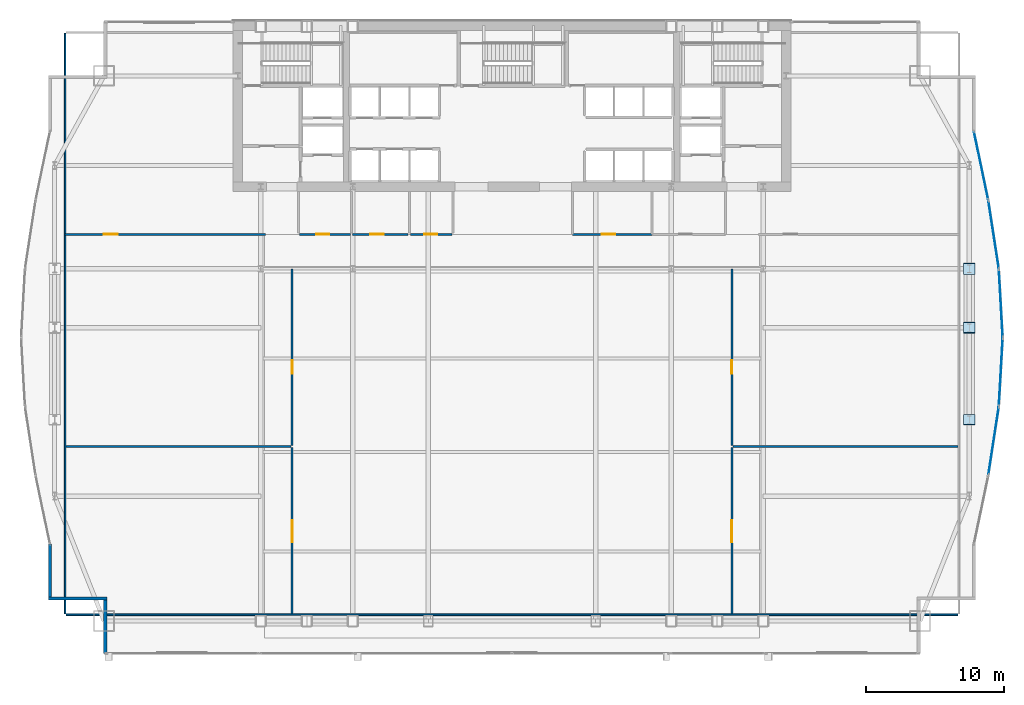
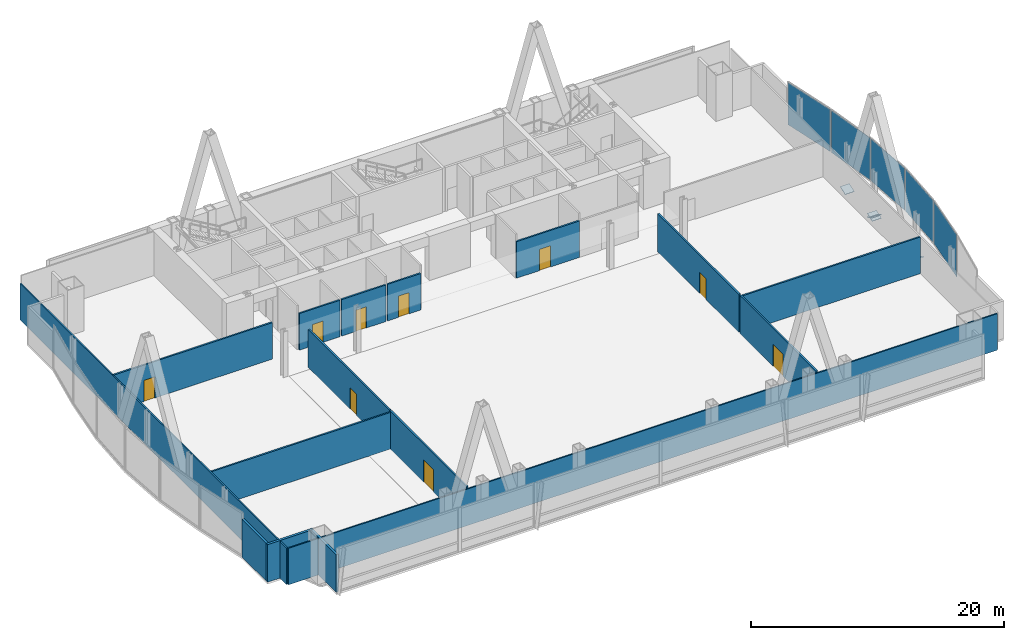
# One storey, part 27 of 32: 16 walls, 9 doors, 9 plates, 9 openings, 5 elements without a shape of their own.
"""IFC4 building model written with IfcOpenShell, lengths in metres."""

from ifc_helpers import new_model, si_unit, direction, frame, frame_2d, origin, origin_2d, place, context, subcontext, project, spatial, polyline, rectangle, outline, extrude, material, layer, layer_set, type_object, element, fill, aggregate, save


model = new_model("IFC4")

# Units and contexts
model_context = context("Model", 3, precision=1e-05, world=origin(), true_north=direction((0.0, 1.0)))
body_context = subcontext(model_context, "Body", "Model", "MODEL_VIEW")
ifc_project = project(units=[si_unit("LENGTHUNIT", "METRE"), si_unit("AREAUNIT", "SQUARE_METRE"), si_unit("VOLUMEUNIT", "CUBIC_METRE"), si_unit("PLANEANGLEUNIT", "RADIAN"), si_unit("MASSUNIT", "GRAM", prefix="KILO")], contexts=[model_context])

# Site, building, storey
site_placement = place(None, origin())
site = spatial("IfcSite", under=ifc_project, at=site_placement, CompositionType="ELEMENT")
building_placement = place(site_placement, origin())
building = spatial("IfcBuilding", under=site, at=building_placement, Name="Khoronbel Lancet Exchange", CompositionType="ELEMENT")
storey_placement = place(building_placement, frame((0.0, 0.0, 106.60009765625)))
storey = spatial("IfcBuildingStorey", under=building, at=storey_placement, Name="L25", CompositionType="ELEMENT", Elevation=106.60009765625)

# Curtain wall, plate
ifc_material_1 = material(Name="Low-E Solar Control Insulating Glass", Category="glass")
curtain_wall_type = type_object("IfcCurtainWallType", Name="CW-4", PredefinedType="NOTDEFINED", material=ifc_material_1)
curtain_wall_1_placement = place(storey_placement, origin())
curtain_wall_1 = element("IfcCurtainWall", 1, at=curtain_wall_1_placement, inside=storey, type_object=curtain_wall_type, Name="Unitised curtain wall CW-L25-E18", PredefinedType="NOTDEFINED")
ifc_material_2 = material(Name="Bronze-Anodised Aluminium 6063-T6", Category="aluminium")
ifc_layer_1 = layer(ifc_material_2, 0.050048828125, Name="Bronze-Anodised Aluminium 6063-T6")
ifc_layer_set_1 = layer_set([ifc_layer_1], Name="Bronze-Anodised Aluminium 6063-T6")
plate_type_1 = type_object("IfcPlateType", Name="PLT-CSP1", PredefinedType="SHEET", material=ifc_layer_set_1)
plate_1_placement = place(storey_placement, frame((71.392578125, 38.187255859375, 0.0849609375), z_axis=(0.0, 0.0, 1.0), x_axis=(0.151689763181, -0.988428154064, 0.0)))
plate_1 = element("IfcPlate", 2, at=plate_1_placement, type_object=plate_type_1, Name="CW4 panel 1.1", PredefinedType="CURTAIN_PANEL", context=body_context, shape_type="SweptSolid", body=[
    extrude(rectangle(XDim=4.90185546875, YDim=0.0380859375, at=origin_2d()), origin(), (0.0, 0.0, 1.0), 4.070068359375),
])
aggregate(curtain_wall_1, [plate_1])

curtain_wall_2_placement = place(storey_placement, origin())
curtain_wall_2 = element("IfcCurtainWall", 3, at=curtain_wall_2_placement, inside=storey, type_object=curtain_wall_type, Name="Unitised curtain wall CW-L25-E19", PredefinedType="NOTDEFINED")
plate_2_placement = place(storey_placement, frame((71.916015625, 33.1953125, 0.0849609375), z_axis=(0.0, 0.0, 1.0), x_axis=(0.056077211104, -0.998426435144, 0.0)))
plate_2 = element("IfcPlate", 4, at=plate_2_placement, type_object=plate_type_1, Name="CW4 panel 1.1", PredefinedType="CURTAIN_PANEL", context=body_context, shape_type="SweptSolid", body=[
    extrude(rectangle(XDim=4.848388671875, YDim=0.0380859375, at=origin_2d()), origin(), (0.0, 0.0, 1.0), 4.070068359375),
])
aggregate(curtain_wall_2, [plate_2])

curtain_wall_3_placement = place(storey_placement, origin())
curtain_wall_3 = element("IfcCurtainWall", 5, at=curtain_wall_3_placement, inside=storey, type_object=curtain_wall_type, Name="Unitised curtain wall CW-L25-E20", PredefinedType="NOTDEFINED")
plate_3_placement = place(storey_placement, frame((71.916015625, 28.20458984375, 0.0849609375), z_axis=(0.0, 0.0, 1.0), x_axis=(-0.056077211104, -0.998426435144, 0.0)))
plate_3 = element("IfcPlate", 6, at=plate_3_placement, type_object=plate_type_1, Name="CW4 panel 1.1", PredefinedType="CURTAIN_PANEL", context=body_context, shape_type="SweptSolid", body=[
    extrude(rectangle(XDim=4.848388671875, YDim=0.0380859375, at=origin_2d()), origin(), (0.0, 0.0, 1.0), 4.070068359375),
])
aggregate(curtain_wall_3, [plate_3])

curtain_wall_4_placement = place(storey_placement, origin())
curtain_wall_4 = element("IfcCurtainWall", 7, at=curtain_wall_4_placement, inside=storey, type_object=curtain_wall_type, Name="Unitised curtain wall CW-L25-E21", PredefinedType="NOTDEFINED")
plate_4_placement = place(storey_placement, frame((71.392578125, 23.212646484375, 0.0849609375), z_axis=(0.0, 0.0, 1.0), x_axis=(-0.151689763181, -0.988428154064, 0.0)))
plate_4 = element("IfcPlate", 8, at=plate_4_placement, type_object=plate_type_1, Name="CW4 panel 1.1", PredefinedType="CURTAIN_PANEL", context=body_context, shape_type="SweptSolid", body=[
    extrude(rectangle(XDim=4.90185546875, YDim=0.0380859375, at=origin_2d()), origin(), (0.0, 0.0, 1.0), 4.070068359375),
])
aggregate(curtain_wall_4, [plate_4])

curtain_wall_5_placement = place(storey_placement, origin())
curtain_wall_5 = element("IfcCurtainWall", 9, at=curtain_wall_5_placement, inside=storey, type_object=curtain_wall_type, Name="Unitised curtain wall CW-L25-E17", PredefinedType="NOTDEFINED")
ifc_material_3 = material(Name="Ceramic-Fritted Laminated Insulating Glass", Category="glass")
ifc_layer_2 = layer(ifc_material_3, 0.0419921875, Name="Ceramic-Fritted Laminated Insulating Glass")
ifc_layer_set_2 = layer_set([ifc_layer_2], Name="Ceramic-Fritted Laminated Insulating Glass")
plate_type_2 = type_object("IfcPlateType", Name="PLT-CWP2", PredefinedType="CURTAIN_PANEL", material=ifc_layer_set_2)
plate_5_placement = place(storey_placement, frame((70.48486328125, 43.187255859375, 0.0849609375), z_axis=(0.0, 0.0, 1.0), x_axis=(0.205156253509, -0.97872923306, 0.0)))
plate_5 = element("IfcPlate", 10, at=plate_5_placement, type_object=plate_type_2, Name="CW4 panel 1.1", PredefinedType="CURTAIN_PANEL", context=body_context, shape_type="SweptSolid", body=[
    extrude(rectangle(XDim=4.965576171875, YDim=0.0380859375, at=origin_2d()), origin(), (0.0, 0.0, 1.0), 4.070068359375),
])
aggregate(curtain_wall_5, [plate_5])

# Plates
ifc_material_4 = material(Name="Steel S460", Category="steel")
ifc_layer_3 = layer(ifc_material_4, 0.044921875, Name="Steel S460")
ifc_layer_set_3 = layer_set([ifc_layer_3], Name="Steel S460")
plate_type_3 = type_object("IfcPlateType", Name="PLT-ECP1", PredefinedType="USERDEFINED", material=ifc_layer_set_3)
plate_6_placement = place(storey_placement, frame((70.050048828125, 31.80810546875, -0.175537109375), z_axis=(0.0, 0.486185669664, 0.873855534178), x_axis=(-1.0, 0.0, 0.0)))
element("IfcPlate", 11, at=plate_6_placement, inside=storey, type_object=plate_type_3, Name="Hollow end cap plate PLT-CAP-MEM-MB-T07-E-P-L-1", ObjectType="STIFFENER_PLATE", PredefinedType="USERDEFINED", context=body_context, shape_type="SweptSolid", body=[
    extrude(outline(polyline([(0.0, 0.0), (0.840087890625, 0.0), (0.840087890625, 0.840087890625), (0.0, 0.840087890625), (0.0, 0.0)])), origin(), (0.0, 0.0, -1.0), 0.044921875),
])
plate_7_placement = place(storey_placement, frame((69.2099609375, 31.018310546875, -0.10986328125), z_axis=(0.0, -0.335433979759, 0.942063716116), x_axis=(1.0, 0.0, 0.0)))
element("IfcPlate", 12, at=plate_7_placement, inside=storey, type_object=plate_type_3, Name="Hollow end cap plate PLT-CAP-MEM-MB-T07-E-P-R-1", ObjectType="STIFFENER_PLATE", PredefinedType="USERDEFINED", context=body_context, shape_type="SweptSolid", body=[
    extrude(outline(polyline([(0.0, 0.0), (0.840087890625, 0.0), (0.840087890625, 0.83984375), (0.0, 0.83984375), (0.0, 0.0)])), origin(), (0.0, 0.0, -1.0), 0.044921875),
])
plate_8_placement = place(storey_placement, frame((70.050048828125, 25.1201171875, -0.19921875), z_axis=(0.0, 0.498640359883, 0.86680897059), x_axis=(-1.0, 0.0, 0.0)))
element("IfcPlate", 13, at=plate_8_placement, inside=storey, type_object=plate_type_3, Name="Hollow end cap plate PLT-CAP-MEM-MB-T08-E-P-L-0", ObjectType="STIFFENER_PLATE", PredefinedType="USERDEFINED", context=body_context, shape_type="SweptSolid", body=[
    extrude(outline(polyline([(0.0, 0.0), (0.840087890625, 0.0), (0.840087890625, 0.840087890625), (0.0, 0.840087890625), (0.0, 0.0)])), origin(), (0.0, 0.0, -1.0), 0.044921875),
])
plate_9_placement = place(storey_placement, frame((69.2099609375, 35.3017578125, -0.134033203125), z_axis=(0.0, -0.345893931034, 0.938273621325), x_axis=(1.0, 0.0, 0.0)))
element("IfcPlate", 14, at=plate_9_placement, inside=storey, type_object=plate_type_3, Name="Hollow end cap plate PLT-CAP-MEM-MB-T08-E-P-R-0", ObjectType="STIFFENER_PLATE", PredefinedType="USERDEFINED", context=body_context, shape_type="SweptSolid", body=[
    extrude(outline(polyline([(0.0, 0.0), (0.840087890625, 0.0), (0.840087890625, 0.83984375), (0.0, 0.83984375), (0.0, 0.0)])), origin(), (0.0, 0.0, -1.0), 0.044921875),
])

# Walls
ifc_material_5 = material(Name="Precast concrete C40/50", Category="concrete")
ifc_layer_4 = layer(ifc_material_5, 0.25, Name="Precast concrete C40/50")
ifc_layer_set_4 = layer_set([ifc_layer_4], Name="Precast concrete C40/50")
wall_type_1 = type_object("IfcWallType", Name="WL-EXT250", PredefinedType="SOLIDWALL", material=ifc_layer_set_4)
wall_1_placement = place(storey_placement, frame((6.93994140625, 7.77001953125, 0.0), z_axis=(0.0, 0.0, 1.0), x_axis=(0.0, 1.0, 0.0)))
element("IfcWall", 15, at=wall_1_placement, inside=storey, type_object=wall_type_1, Name="Level L25 notched-corner limestone pier 01", PredefinedType="SOLIDWALL", context=body_context, shape_type="SweptSolid", body=[
    extrude(rectangle(XDim=3.909912109375, YDim=0.219970703125, at=frame_2d((1.955078125, 0.0))), origin(), (0.0, 0.0, 1.0), 3.6298828125),
])
wall_2_placement = place(storey_placement, frame((7.050048828125, 11.7900390625, 0.0), z_axis=(0.0, 0.0, 1.0), x_axis=(-1.0, 0.0, 0.0)))
element("IfcWall", 16, at=wall_2_placement, inside=storey, type_object=wall_type_1, Name="Level L25 notched-corner limestone pier 02", PredefinedType="SOLIDWALL", context=body_context, shape_type="SweptSolid", body=[
    extrude(rectangle(XDim=4.219970703125, YDim=0.219970703125, at=frame_2d((2.10986328125, 0.0))), origin(), (0.0, 0.0, 1.0), 3.6298828125),
])
wall_3_placement = place(storey_placement, frame((2.93994140625, 11.89990234375, 0.0), z_axis=(0.0, 0.0, 1.0), x_axis=(0.0, 1.0, 0.0)))
element("IfcWall", 17, at=wall_3_placement, inside=storey, type_object=wall_type_1, Name="Level L25 notched-corner limestone pier 03", PredefinedType="SOLIDWALL", context=body_context, shape_type="SweptSolid", body=[
    extrude(rectangle(XDim=3.829345703125, YDim=0.219970703125, at=frame_2d((1.91455078125, 0.0))), origin(), (0.0, 0.0, 1.0), 3.6298828125),
])
ifc_material_6 = material(Name="Acoustic Metal-Stud & Mineral-Wool Gypsum Partition 120 mm", Category="gypsum")
ifc_layer_5 = layer(ifc_material_6, 0.1201171875, Name="Acoustic Metal-Stud & Mineral-Wool Gypsum Partition 120 mm")
ifc_layer_set_5 = layer_set([ifc_layer_5], Name="Acoustic Metal-Stud & Mineral-Wool Gypsum Partition 120 mm")
wall_type_2 = type_object("IfcWallType", Name="WL-PRT120", PredefinedType="PARTITIONING", material=ifc_layer_set_5)
for number, where, z_axis, x_axis, name in (
    (18, (4.094970703125, 22.800048828125, 0.0), (0.0, 0.0, 1.0), (1.0, 0.0, 0.0), "Level L25 interior partition PW-SL-WM"),
    (19, (52.47998046875, 22.800048828125, 0.0), (0.0, 0.0, 1.0), (1.0, 0.0, 0.0), "Level L25 interior partition PW-SL-EM"),
):
    element("IfcWall", number, at=place(storey_placement, frame(where, z_axis=z_axis, x_axis=x_axis)), inside=storey, type_object=wall_type_2, Name=name, PredefinedType="PARTITIONING", context=body_context, shape_type="SweptSolid", body=[
        extrude(rectangle(XDim=16.324951171875, YDim=0.14990234375, at=frame_2d((8.16259765625, 0.0))), origin(), (0.0, 0.0, 1.0), 3.52978515625),
    ])
wall_4_placement = place(storey_placement, frame((4.030029296875, 10.6650390625, 0.0), z_axis=(0.0, 0.0, 1.0), x_axis=(0.0, 1.0, 0.0)))
element("IfcWall", 20, at=wall_4_placement, inside=storey, type_object=wall_type_2, Name="Level L25 interior partition PW-LIN-W", PredefinedType="PARTITIONING", context=body_context, shape_type="SweptSolid", body=[
    extrude(rectangle(XDim=42.10986328125, YDim=0.1201171875, at=frame_2d((21.054931640625, 0.0))), origin(), (0.0, 0.0, 1.0), 3.52978515625),
])
wall_5_placement = place(storey_placement, frame((4.094970703125, 10.60009765625, 0.0), z_axis=(0.0, 0.0, 1.0), x_axis=(1.0, 0.0, 0.0)))
element("IfcWall", 21, at=wall_5_placement, inside=storey, type_object=wall_type_2, Name="Level L25 interior partition PW-LIN-S", PredefinedType="PARTITIONING", context=body_context, shape_type="SweptSolid", body=[
    extrude(rectangle(XDim=64.7099609375, YDim=0.1201171875, at=frame_2d((32.35498046875, 0.0))), origin(), (0.0, 0.0, 1.0), 3.52978515625),
])

# Wall, opening, door
ifc_material_7 = material(Name="Fire-Rated Twin-Stud Acoustic Gypsum Partition 150 mm", Category="gypsum")
ifc_layer_6 = layer(ifc_material_7, 0.14990234375, Name="Fire-Rated Twin-Stud Acoustic Gypsum Partition 150 mm")
ifc_layer_set_6 = layer_set([ifc_layer_6], Name="Fire-Rated Twin-Stud Acoustic Gypsum Partition 150 mm")
wall_type_3 = type_object("IfcWallType", Name="WL-PRT150C", PredefinedType="PARTITIONING", material=ifc_layer_set_6)
wall_6_placement = place(storey_placement, frame((20.5, 10.6650390625, 0.0), z_axis=(0.0, 0.0, 1.0), x_axis=(0.0, 1.0, 0.0)))
wall_6 = element("IfcWall", 22, at=wall_6_placement, inside=storey, type_object=wall_type_3, Name="Level L25 interior partition PW-SL-W1", PredefinedType="PARTITIONING", context=body_context, shape_type="SweptSolid", body=[
    extrude(rectangle(XDim=12.054931640625, YDim=0.14990234375, at=frame_2d((6.02734375, 0.0))), origin(), (0.0, 0.0, 1.0), 3.679931640625),
])
opening_1_placement = place(wall_6_placement, frame((5.199951171875, 0.0, 0.0)))
opening_1 = element("IfcOpeningElement", 23, at=opening_1_placement, cuts=wall_6, Name="Opening D3", PredefinedType="OPENING", context=body_context, shape_type="SweptSolid", body=[
    extrude(rectangle(XDim=1.60009765625, YDim=2.14990234375, at=frame_2d((0.800048828125, 1.074951171875))), frame((0.0, 0.0849609375, 0.0), z_axis=(0.0, -1.0, 0.0), x_axis=(1.0, 0.0, 0.0)), (0.0, 0.0, 1.0), 0.169921875),
])
ifc_material_8 = material(Name="Glazed Bronze-Framed Double Suite Door", Category="aluminium")
door_type_1 = type_object("IfcDoorType", Name="DR-D3", OperationType="NOTDEFINED", PredefinedType="DOOR", material=ifc_material_8)
door_1_placement = place(opening_1_placement, origin())
door_1 = element("IfcDoor", 24, at=door_1_placement, inside=storey, type_object=door_type_1, Name="Sky-lobby west dining lounge door L25-1", OperationType="DOUBLE_DOOR_SINGLE_SWING", OverallHeight=2.14990234375, OverallWidth=1.60009765625, PredefinedType="DOOR", context=body_context, shape_type="SweptSolid", body=[
    extrude(rectangle(XDim=1.60009765625, YDim=2.14990234375, at=frame_2d((0.800048828125, 1.074951171875))), frame((0.0, 0.02490234375, 0.0), z_axis=(0.0, -1.0, 0.0), x_axis=(1.0, 0.0, 0.0)), (0.0, 0.0, 1.0), 0.050048828125),
])
fill(opening_1, door_1)

wall_7_placement = place(storey_placement, frame((20.5, 22.8798828125, 0.0), z_axis=(0.0, 0.0, 1.0), x_axis=(0.0, 1.0, 0.0)))
wall_7 = element("IfcWall", 25, at=wall_7_placement, inside=storey, type_object=wall_type_3, Name="Level L25 interior partition PW-SL-W2", PredefinedType="PARTITIONING", context=body_context, shape_type="SweptSolid", body=[
    extrude(rectangle(XDim=12.820068359375, YDim=0.14990234375, at=frame_2d((6.41015625, 0.0))), origin(), (0.0, 0.0, 1.0), 3.679931640625),
])
opening_2_placement = place(wall_7_placement, frame((5.199951171875, 0.0, 0.0)))
opening_2 = element("IfcOpeningElement", 26, at=opening_2_placement, cuts=wall_7, Name="Opening D2", PredefinedType="OPENING", context=body_context, shape_type="SweptSolid", body=[
    extrude(rectangle(XDim=1.0, YDim=2.050048828125, at=frame_2d((0.5, 1.02490234375))), frame((0.0, 0.0849609375, 0.0), z_axis=(0.0, -1.0, 0.0), x_axis=(1.0, 0.0, 0.0)), (0.0, 0.0, 1.0), 0.169921875),
])
ifc_material_9 = material(Name="Acoustic Veneered Timber & Bronze Frame Door", Category="wood")
door_type_2 = type_object("IfcDoorType", Name="DR-D2", OperationType="NOTDEFINED", PredefinedType="DOOR", material=ifc_material_9)
door_2_placement = place(opening_2_placement, origin())
door_2 = element("IfcDoor", 27, at=door_2_placement, inside=storey, type_object=door_type_2, Name="Sky-lobby auditorium door L25-1", OperationType="SINGLE_SWING_RIGHT", OverallHeight=2.050048828125, OverallWidth=1.0, PredefinedType="DOOR", context=body_context, shape_type="SweptSolid", body=[
    extrude(rectangle(XDim=1.0, YDim=2.050048828125, at=frame_2d((0.5, 1.02490234375))), frame((0.0, 0.02490234375, 0.0), z_axis=(0.0, -1.0, 0.0), x_axis=(1.0, 0.0, 0.0)), (0.0, 0.0, 1.0), 0.050048828125),
])
fill(opening_2, door_2)

wall_8_placement = place(storey_placement, frame((52.39990234375, 10.6650390625, 0.0), z_axis=(0.0, 0.0, 1.0), x_axis=(0.0, 1.0, 0.0)))
wall_8 = element("IfcWall", 28, at=wall_8_placement, inside=storey, type_object=wall_type_3, Name="Level L25 interior partition PW-SL-E1", PredefinedType="PARTITIONING", context=body_context, shape_type="SweptSolid", body=[
    extrude(rectangle(XDim=12.054931640625, YDim=0.14990234375, at=frame_2d((6.02734375, 0.0))), origin(), (0.0, 0.0, 1.0), 3.679931640625),
])
opening_3_placement = place(wall_8_placement, frame((5.199951171875, 0.0, 0.0)))
opening_3 = element("IfcOpeningElement", 29, at=opening_3_placement, cuts=wall_8, Name="Opening D3", PredefinedType="OPENING", context=body_context, shape_type="SweptSolid", body=[
    extrude(rectangle(XDim=1.60009765625, YDim=2.14990234375, at=frame_2d((0.800048828125, 1.074951171875))), frame((0.0, 0.0849609375, 0.0), z_axis=(0.0, -1.0, 0.0), x_axis=(1.0, 0.0, 0.0)), (0.0, 0.0, 1.0), 0.169921875),
])
door_3_placement = place(opening_3_placement, origin())
door_3 = element("IfcDoor", 30, at=door_3_placement, inside=storey, type_object=door_type_1, Name="Sky-lobby east conference salon door L25-1", OperationType="DOUBLE_DOOR_SINGLE_SWING", OverallHeight=2.14990234375, OverallWidth=1.60009765625, PredefinedType="DOOR", context=body_context, shape_type="SweptSolid", body=[
    extrude(rectangle(XDim=1.60009765625, YDim=2.14990234375, at=frame_2d((0.800048828125, 1.074951171875))), frame((0.0, 0.02490234375, 0.0), z_axis=(0.0, -1.0, 0.0), x_axis=(1.0, 0.0, 0.0)), (0.0, 0.0, 1.0), 0.050048828125),
])
fill(opening_3, door_3)

wall_9_placement = place(storey_placement, frame((52.39990234375, 22.8798828125, 0.0), z_axis=(0.0, 0.0, 1.0), x_axis=(0.0, 1.0, 0.0)))
wall_9 = element("IfcWall", 31, at=wall_9_placement, inside=storey, type_object=wall_type_3, Name="Level L25 interior partition PW-SL-E2", PredefinedType="PARTITIONING", context=body_context, shape_type="SweptSolid", body=[
    extrude(rectangle(XDim=12.820068359375, YDim=0.14990234375, at=frame_2d((6.41015625, 0.0))), origin(), (0.0, 0.0, 1.0), 3.679931640625),
])
opening_4_placement = place(wall_9_placement, frame((5.199951171875, 0.0, 0.0)))
opening_4 = element("IfcOpeningElement", 32, at=opening_4_placement, cuts=wall_9, Name="Opening D2", PredefinedType="OPENING", context=body_context, shape_type="SweptSolid", body=[
    extrude(rectangle(XDim=1.0, YDim=2.050048828125, at=frame_2d((0.5, 1.02490234375))), frame((0.0, 0.0849609375, 0.0), z_axis=(0.0, -1.0, 0.0), x_axis=(1.0, 0.0, 0.0)), (0.0, 0.0, 1.0), 0.169921875),
])
door_4_placement = place(opening_4_placement, origin())
door_4 = element("IfcDoor", 33, at=door_4_placement, inside=storey, type_object=door_type_2, Name="Sky-lobby espresso bar door L25-1", OperationType="SINGLE_SWING_LEFT", OverallHeight=2.050048828125, OverallWidth=1.0, PredefinedType="DOOR", context=body_context, shape_type="SweptSolid", body=[
    extrude(rectangle(XDim=1.0, YDim=2.050048828125, at=frame_2d((0.5, 1.02490234375))), frame((0.0, 0.02490234375, 0.0), z_axis=(0.0, -1.0, 0.0), x_axis=(1.0, 0.0, 0.0)), (0.0, 0.0, 1.0), 0.050048828125),
])
fill(opening_4, door_4)

wall_10_placement = place(storey_placement, frame((21.030029296875, 38.199951171875, 0.0), z_axis=(0.0, 0.0, 1.0), x_axis=(1.0, 0.0, 0.0)))
wall_10 = element("IfcWall", 34, at=wall_10_placement, inside=storey, type_object=wall_type_3, Name="Level L25 interior partition PW-SL-WCS1", PredefinedType="PARTITIONING", context=body_context, shape_type="SweptSolid", body=[
    extrude(rectangle(XDim=3.68994140625, YDim=0.14990234375, at=frame_2d((1.844970703125, 0.0))), origin(), (0.0, 0.0, 1.0), 3.52978515625),
])
opening_5_placement = place(wall_10_placement, frame((1.199951171875, 0.0, 0.0)))
opening_5 = element("IfcOpeningElement", 35, at=opening_5_placement, cuts=wall_10, Name="Opening FD5", PredefinedType="OPENING", context=body_context, shape_type="SweptSolid", body=[
    extrude(rectangle(XDim=0.949951171875, YDim=2.050048828125, at=frame_2d((0.47509765625, 1.02490234375))), frame((0.0, 0.0849609375, 0.0), z_axis=(0.0, -1.0, 0.0), x_axis=(1.0, 0.0, 0.0)), (0.0, 0.0, 1.0), 0.169921875),
])
ifc_material_10 = material(Name="Fire-Rated Moisture-Resistant Lobby Washroom Door", Category="wood")
door_type_3 = type_object("IfcDoorType", Name="DR-FD5", OperationType="NOTDEFINED", PredefinedType="DOOR", material=ifc_material_10)
door_5_placement = place(opening_5_placement, origin())
door_5 = element("IfcDoor", 36, at=door_5_placement, inside=storey, type_object=door_type_3, Name="Sky-lobby male WC door L25-1", OperationType="SINGLE_SWING_RIGHT", OverallHeight=2.050048828125, OverallWidth=0.949951171875, PredefinedType="DOOR", context=body_context, shape_type="SweptSolid", body=[
    extrude(rectangle(XDim=0.949951171875, YDim=2.050048828125, at=frame_2d((0.47509765625, 1.02490234375))), frame((0.0, 0.02490234375, 0.0), z_axis=(0.0, -1.0, 0.0), x_axis=(1.0, 0.0, 0.0)), (0.0, 0.0, 1.0), 0.050048828125),
])
fill(opening_5, door_5)

wall_11_placement = place(storey_placement, frame((24.8798828125, 38.199951171875, 0.0), z_axis=(0.0, 0.0, 1.0), x_axis=(1.0, 0.0, 0.0)))
wall_11 = element("IfcWall", 37, at=wall_11_placement, inside=storey, type_object=wall_type_3, Name="Level L25 interior partition PW-SL-WCS2", PredefinedType="PARTITIONING", context=body_context, shape_type="SweptSolid", body=[
    extrude(rectangle(XDim=4.0400390625, YDim=0.14990234375, at=frame_2d((2.02001953125, 0.0))), origin(), (0.0, 0.0, 1.0), 3.52978515625),
])
opening_6_placement = place(wall_11_placement, frame((1.300048828125, 0.0, 0.0)))
opening_6 = element("IfcOpeningElement", 38, at=opening_6_placement, cuts=wall_11, Name="Opening FD5", PredefinedType="OPENING", context=body_context, shape_type="SweptSolid", body=[
    extrude(rectangle(XDim=0.949951171875, YDim=2.050048828125, at=frame_2d((0.47509765625, 1.02490234375))), frame((0.0, 0.0849609375, 0.0), z_axis=(0.0, -1.0, 0.0), x_axis=(1.0, 0.0, 0.0)), (0.0, 0.0, 1.0), 0.169921875),
])
door_6_placement = place(opening_6_placement, origin())
door_6 = element("IfcDoor", 39, at=door_6_placement, inside=storey, type_object=door_type_3, Name="Sky-lobby female WC door L25-1", OperationType="SINGLE_SWING_LEFT", OverallHeight=2.050048828125, OverallWidth=0.949951171875, PredefinedType="DOOR", context=body_context, shape_type="SweptSolid", body=[
    extrude(rectangle(XDim=0.949951171875, YDim=2.050048828125, at=frame_2d((0.47509765625, 1.02490234375))), frame((0.0, 0.02490234375, 0.0), z_axis=(0.0, -1.0, 0.0), x_axis=(1.0, 0.0, 0.0)), (0.0, 0.0, 1.0), 0.050048828125),
])
fill(opening_6, door_6)

wall_12_placement = place(storey_placement, frame((29.080078125, 38.199951171875, 0.0), z_axis=(0.0, 0.0, 1.0), x_axis=(1.0, 0.0, 0.0)))
wall_12 = element("IfcWall", 40, at=wall_12_placement, inside=storey, type_object=wall_type_3, Name="Level L25 interior partition PW-SL-WCS3", PredefinedType="PARTITIONING", context=body_context, shape_type="SweptSolid", body=[
    extrude(rectangle(XDim=3.02001953125, YDim=0.14990234375, at=frame_2d((1.510009765625, 0.0))), origin(), (0.0, 0.0, 1.0), 3.52978515625),
])
opening_7_placement = place(wall_12_placement, frame((1.0, 0.0, 0.0)))
opening_7 = element("IfcOpeningElement", 41, at=opening_7_placement, cuts=wall_12, Name="Opening FD5", PredefinedType="OPENING", context=body_context, shape_type="SweptSolid", body=[
    extrude(rectangle(XDim=0.949951171875, YDim=2.050048828125, at=frame_2d((0.47509765625, 1.02490234375))), frame((0.0, 0.0849609375, 0.0), z_axis=(0.0, -1.0, 0.0), x_axis=(1.0, 0.0, 0.0)), (0.0, 0.0, 1.0), 0.169921875),
])
door_7_placement = place(opening_7_placement, origin())
door_7 = element("IfcDoor", 42, at=door_7_placement, inside=storey, type_object=door_type_3, Name="Sky-lobby accessible WC door L25-1", OperationType="SINGLE_SWING_RIGHT", OverallHeight=2.050048828125, OverallWidth=0.949951171875, PredefinedType="DOOR", context=body_context, shape_type="SweptSolid", body=[
    extrude(rectangle(XDim=0.949951171875, YDim=2.050048828125, at=frame_2d((0.47509765625, 1.02490234375))), frame((0.0, 0.02490234375, 0.0), z_axis=(0.0, -1.0, 0.0), x_axis=(1.0, 0.0, 0.0)), (0.0, 0.0, 1.0), 0.050048828125),
])
fill(opening_7, door_7)

wall_13_placement = place(storey_placement, frame((40.85009765625, 38.199951171875, 0.0), z_axis=(0.0, 0.0, 1.0), x_axis=(1.0, 0.0, 0.0)))
wall_13 = element("IfcWall", 43, at=wall_13_placement, inside=storey, type_object=wall_type_3, Name="Level L25 interior partition PW-SL-NPS1", PredefinedType="PARTITIONING", context=body_context, shape_type="SweptSolid", body=[
    extrude(rectangle(XDim=5.75, YDim=0.14990234375, at=frame_2d((2.875, 0.0))), origin(), (0.0, 0.0, 1.0), 3.52978515625),
])
opening_8_placement = place(wall_13_placement, frame((2.10009765625, 0.0, 0.0)))
opening_8 = element("IfcOpeningElement", 44, at=opening_8_placement, cuts=wall_13, Name="Opening D2", PredefinedType="OPENING", context=body_context, shape_type="SweptSolid", body=[
    extrude(rectangle(XDim=1.0, YDim=2.050048828125, at=frame_2d((0.5, 1.02490234375))), frame((0.0, 0.0849609375, 0.0), z_axis=(0.0, -1.0, 0.0), x_axis=(1.0, 0.0, 0.0)), (0.0, 0.0, 1.0), 0.169921875),
])
door_8_placement = place(opening_8_placement, origin())
door_8 = element("IfcDoor", 45, at=door_8_placement, inside=storey, type_object=door_type_2, Name="Sky-lobby concierge office door L25-1", OperationType="SINGLE_SWING_LEFT", OverallHeight=2.050048828125, OverallWidth=1.0, PredefinedType="DOOR", context=body_context, shape_type="SweptSolid", body=[
    extrude(rectangle(XDim=1.0, YDim=2.050048828125, at=frame_2d((0.5, 1.02490234375))), frame((0.0, 0.02490234375, 0.0), z_axis=(0.0, -1.0, 0.0), x_axis=(1.0, 0.0, 0.0)), (0.0, 0.0, 1.0), 0.050048828125),
])
fill(opening_8, door_8)

wall_14_placement = place(storey_placement, frame((4.030029296875, 38.199951171875, 0.0), z_axis=(0.0, 0.0, 1.0), x_axis=(1.0, 0.0, 0.0)))
wall_14 = element("IfcWall", 46, at=wall_14_placement, inside=storey, type_object=wall_type_3, Name="Level L25 interior partition PW-SL-N3", PredefinedType="PARTITIONING", context=body_context, shape_type="SweptSolid", body=[
    extrude(rectangle(XDim=14.52001953125, YDim=0.14990234375, at=frame_2d((7.260009765625, 0.0))), origin(), (0.0, 0.0, 1.0), 3.52978515625),
])
opening_9_placement = place(wall_14_placement, frame((2.800048828125, 0.0, 0.0)))
opening_9 = element("IfcOpeningElement", 47, at=opening_9_placement, cuts=wall_14, Name="Opening D2", PredefinedType="OPENING", context=body_context, shape_type="SweptSolid", body=[
    extrude(rectangle(XDim=1.0, YDim=2.050048828125, at=frame_2d((0.5, 1.02490234375))), frame((0.0, 0.0849609375, 0.0), z_axis=(0.0, -1.0, 0.0), x_axis=(1.0, 0.0, 0.0)), (0.0, 0.0, 1.0), 0.169921875),
])
door_9_placement = place(opening_9_placement, origin())
door_9 = element("IfcDoor", 48, at=door_9_placement, inside=storey, type_object=door_type_2, Name="NW briefing room door L25-1", OperationType="SINGLE_SWING_LEFT", OverallHeight=2.050048828125, OverallWidth=1.0, PredefinedType="DOOR", context=body_context, shape_type="SweptSolid", body=[
    extrude(rectangle(XDim=1.0, YDim=2.050048828125, at=frame_2d((0.5, 1.02490234375))), frame((0.0, 0.02490234375, 0.0), z_axis=(0.0, -1.0, 0.0), x_axis=(1.0, 0.0, 0.0)), (0.0, 0.0, 1.0), 0.050048828125),
])
fill(opening_9, door_9)

save(model, "model.ifc")
